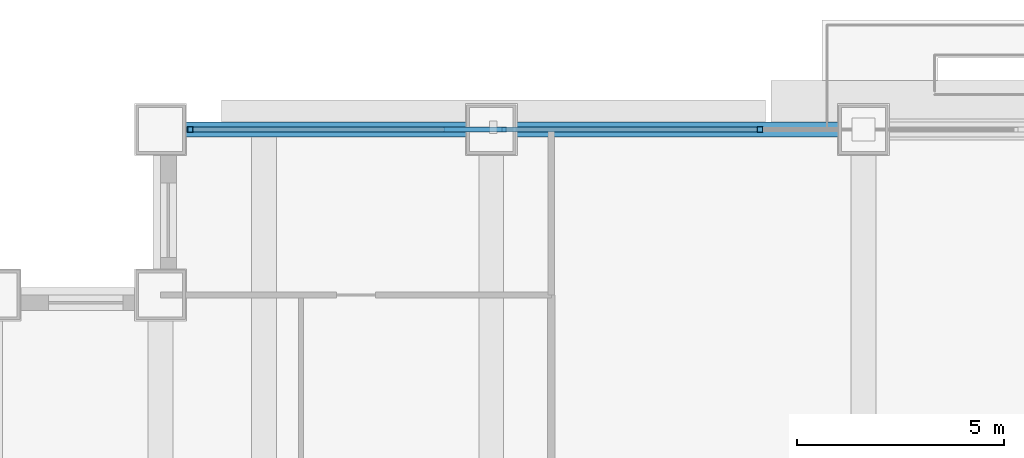
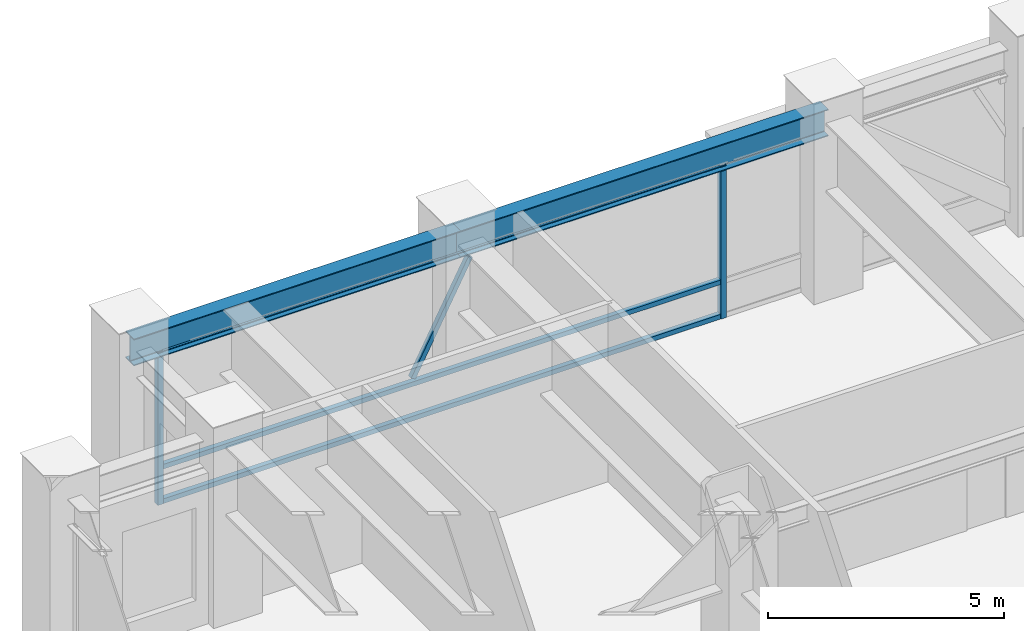
# One storey, part 19 of 34: 6 members, 2 beams, 1 element without a shape of its own.
"""IFC4 building model written with IfcOpenShell, lengths in metres."""

from ifc_helpers import new_model, si_unit, direction, frame, origin, origin_2d, place, context, subcontext, project, spatial, hollow_rectangle, i_section, extrude, source, transform, mapped, material, material_profile, profile_set, type_object, element, aggregate, save


model = new_model("IFC4")

# Units and contexts
model_context = context("Model", 3, precision=1e-05, world=origin(), true_north=direction((0.0, 1.0)))
body_context = subcontext(model_context, "Body", "Model", "MODEL_VIEW")
ifc_project = project(units=[si_unit("LENGTHUNIT", "METRE"), si_unit("AREAUNIT", "SQUARE_METRE"), si_unit("VOLUMEUNIT", "CUBIC_METRE"), si_unit("PLANEANGLEUNIT", "RADIAN"), si_unit("MASSUNIT", "GRAM", prefix="KILO")], contexts=[model_context])

# Site, building, storey
site_placement = place(None, origin())
site = spatial("IfcSite", under=ifc_project, at=site_placement, CompositionType="ELEMENT")
building_placement = place(site_placement, origin())
building = spatial("IfcBuilding", under=site, at=building_placement, Name="Khorayat Bourse Tower", CompositionType="ELEMENT")
storey_placement = place(building_placement, frame((0.0, 0.0, 144.699951171875)))
storey = spatial("IfcBuildingStorey", under=building, at=storey_placement, Name="L33", CompositionType="ELEMENT", Elevation=144.699951171875)

# Beams
ifc_material_1 = material(Name="Steel ASTM A992 Grade 50", Category="steel")
ifc_material_profile_1 = material_profile(ifc_material_1, i_section(OverallWidth=0.35498046875, OverallDepth=0.695068359375, WebThickness=0.015380859375, FlangeThickness=0.02490234375, FilletRadius=0.01806640625, at=origin_2d()), Name="W690X217")
ifc_profile_set_1 = profile_set([ifc_material_profile_1], Name="Steel ASTM A992 Grade 50")
beam_type = type_object("IfcBeamType", Name="BM-SPAN-690", PredefinedType="SPANDREL", material=ifc_profile_set_1)
shared_shape_1 = source(origin(), body_context, "Body", "SweptSolid", [
    extrude(i_section(OverallWidth=0.35498046875, OverallDepth=0.695068359375, WebThickness=0.015380859375, FlangeThickness=0.02490234375, FilletRadius=0.01806640625, at=origin_2d()), origin(), (0.0, 0.0, 1.0), 9.0),
])
beam_1_placement = place(storey_placement, frame((-20.0, 32.0, 4.25244140625), z_axis=(1.0, 0.0, 0.0), x_axis=(0.0, 1.0, 0.0)))
element("IfcBeam", 1, at=beam_1_placement, inside=storey, type_object=beam_type, Name="L33 BM-SPAN-690 BM-L33-SPN-050", PredefinedType="SPANDREL", context=body_context, shape_type="MappedRepresentation", body=[
    mapped(shared_shape_1, transform((0.0, 0.0, 0.0), scale=1.0)),
])
shared_shape_2 = source(origin(), body_context, "Body", "SweptSolid", [
    extrude(i_section(OverallWidth=0.35498046875, OverallDepth=0.695068359375, WebThickness=0.015380859375, FlangeThickness=0.02490234375, FilletRadius=0.01806640625, at=origin_2d()), origin(), (0.0, 0.0, 1.0), 8.0),
])
beam_2_placement = place(storey_placement, frame((-28.0, 32.0, 4.25244140625), z_axis=(1.0, 0.0, 0.0), x_axis=(0.0, 1.0, 0.0)))
element("IfcBeam", 2, at=beam_2_placement, inside=storey, type_object=beam_type, Name="L33 BM-SPAN-690 BM-L33-SPN-051", PredefinedType="SPANDREL", context=body_context, shape_type="MappedRepresentation", body=[
    mapped(shared_shape_2, transform((0.0, 0.0, 0.0), scale=1.0)),
])

# Curtain wall, members
ifc_material_2 = material(Name="Aluminium EN AW-6063 T6", Category="aluminium")
curtain_wall_type = type_object("IfcCurtainWallType", Name="CW-SYS-05", PredefinedType="NOTDEFINED", material=ifc_material_2)
curtain_wall_placement = place(storey_placement, origin())
curtain_wall = element("IfcCurtainWall", 3, at=curtain_wall_placement, inside=storey, type_object=curtain_wall_type, Name="L33 Curtain Wall CW-L33-N1", PredefinedType="NOTDEFINED")
ifc_material_profile_2 = material_profile(ifc_material_2, hollow_rectangle(XDim=0.139892578125, YDim=0.139892578125, WallThickness=0.006103515625, at=origin_2d()), Name="ALU 140x140x6")
ifc_profile_set_2 = profile_set([ifc_material_profile_2], Name="Aluminium EN AW-6063 T6")
member_type_1 = type_object("IfcMemberType", Name="CWM-VERT-140", PredefinedType="MULLION", material=ifc_profile_set_2)
shared_shape_3 = source(origin(), body_context, "Body", "SweptSolid", [
    extrude(hollow_rectangle(XDim=0.139892578125, YDim=0.139892578125, WallThickness=0.006103515625, at=origin_2d()), origin(), (0.0, 0.0, 1.0), 3.949951171875),
])
member_1_placement = place(storey_placement, frame((-27.280029296875, 32.0, 0.0), z_axis=(0.0, 0.0, 1.0), x_axis=(0.0, 1.0, 0.0)))
member_1 = element("IfcMember", 4, at=member_1_placement, type_object=member_type_1, Name="CW-L33-N1 Vertical Mullion 1", PredefinedType="MULLION", context=body_context, shape_type="MappedRepresentation", body=[
    mapped(shared_shape_3, transform((0.0, 0.0, 0.0), scale=1.0)),
])
member_2_placement = place(storey_placement, frame((-13.5, 32.0, 0.0), z_axis=(0.0, 0.0, 1.0), x_axis=(0.0, 1.0, 0.0)))
member_2 = element("IfcMember", 5, at=member_2_placement, type_object=member_type_1, Name="CW-L33-N1 Vertical Mullion 2", PredefinedType="MULLION", context=body_context, shape_type="MappedRepresentation", body=[
    mapped(shared_shape_3, transform((0.0, 0.0, 0.0), scale=1.0)),
])
ifc_material_profile_3 = material_profile(ifc_material_2, hollow_rectangle(XDim=0.1201171875, YDim=0.1201171875, WallThickness=0.0048828125, at=origin_2d()), Name="ALU 120x120x5")
ifc_profile_set_3 = profile_set([ifc_material_profile_3], Name="Aluminium EN AW-6063 T6")
member_type_2 = type_object("IfcMemberType", Name="CWT-HORZ-120", PredefinedType="USERDEFINED", material=ifc_profile_set_3)
shared_shape_4 = source(origin(), body_context, "Body", "SweptSolid", [
    extrude(hollow_rectangle(XDim=0.1201171875, YDim=0.1201171875, WallThickness=0.0048828125, at=origin_2d()), origin(), (0.0, 0.0, 1.0), 13.639892578125),
])
member_3_placement = place(storey_placement, frame((-27.2099609375, 32.0, 0.06005859375), z_axis=(1.0, 0.0, 0.0), x_axis=(0.0, 1.0, 0.0)))
member_3 = element("IfcMember", 6, at=member_3_placement, type_object=member_type_2, Name="CW-L33-N1 Horizontal Transom 1-1", ObjectType="TRANSOM", PredefinedType="USERDEFINED", context=body_context, shape_type="MappedRepresentation", body=[
    mapped(shared_shape_4, transform((0.0, 0.0, 0.0), scale=1.0)),
])
member_4_placement = place(storey_placement, frame((-27.2099609375, 32.0, 0.949951171875), z_axis=(1.0, 0.0, 0.0), x_axis=(0.0, 1.0, 0.0)))
member_4 = element("IfcMember", 7, at=member_4_placement, type_object=member_type_2, Name="CW-L33-N1 Horizontal Transom 1-2", ObjectType="TRANSOM", PredefinedType="USERDEFINED", context=body_context, shape_type="MappedRepresentation", body=[
    mapped(shared_shape_4, transform((0.0, 0.0, 0.0), scale=1.0)),
])
member_5_placement = place(storey_placement, frame((-27.2099609375, 32.0, 3.89013671875), z_axis=(1.0, 0.0, 0.0), x_axis=(0.0, 1.0, 0.0)))
member_5 = element("IfcMember", 8, at=member_5_placement, type_object=member_type_2, Name="CW-L33-N1 Horizontal Transom 1-3", ObjectType="TRANSOM", PredefinedType="USERDEFINED", context=body_context, shape_type="MappedRepresentation", body=[
    mapped(shared_shape_4, transform((0.0, 0.0, 0.0), scale=1.0)),
])
ifc_material_profile_4 = material_profile(ifc_material_2, hollow_rectangle(XDim=0.1201171875, YDim=0.1201171875, WallThickness=0.0048828125, at=origin_2d()), Name="ALU 120x120x5")
ifc_profile_set_4 = profile_set([ifc_material_profile_4], Name="Aluminium EN AW-6063 T6")
member_type_3 = type_object("IfcMemberType", Name="CWM-DIAG-120", PredefinedType="MULLION", material=ifc_profile_set_4)
shared_shape_5 = source(origin(), body_context, "Body", "SweptSolid", [
    extrude(hollow_rectangle(XDim=0.1201171875, YDim=0.1201171875, WallThickness=0.0048828125, at=origin_2d()), origin(), (0.0, 0.0, 1.0), 3.005859375),
])
member_6_placement = place(storey_placement, frame((-21.090087890625, 32.0, 1.090087890625), z_axis=(0.465796644007, 0.0, 0.884891793629), x_axis=(0.0, 1.0, 0.0)))
member_6 = element("IfcMember", 9, at=member_6_placement, type_object=member_type_3, Name="CW-L33-N1 Faceted Diagonal Mullion 1", PredefinedType="MULLION", context=body_context, shape_type="MappedRepresentation", body=[
    mapped(shared_shape_5, transform((0.0, 0.0, 0.0), scale=1.0)),
])
aggregate(curtain_wall, [member_1, member_2, member_3, member_4, member_5, member_6])

save(model, "model.ifc")
